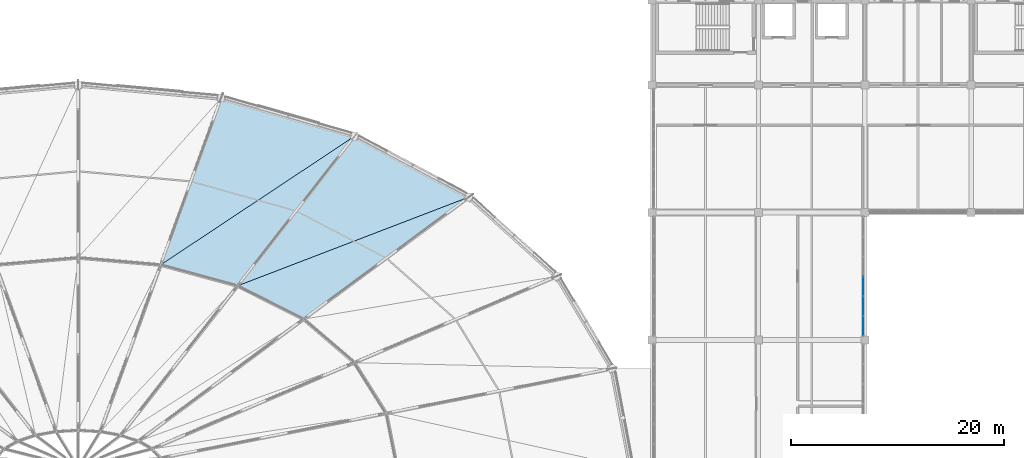
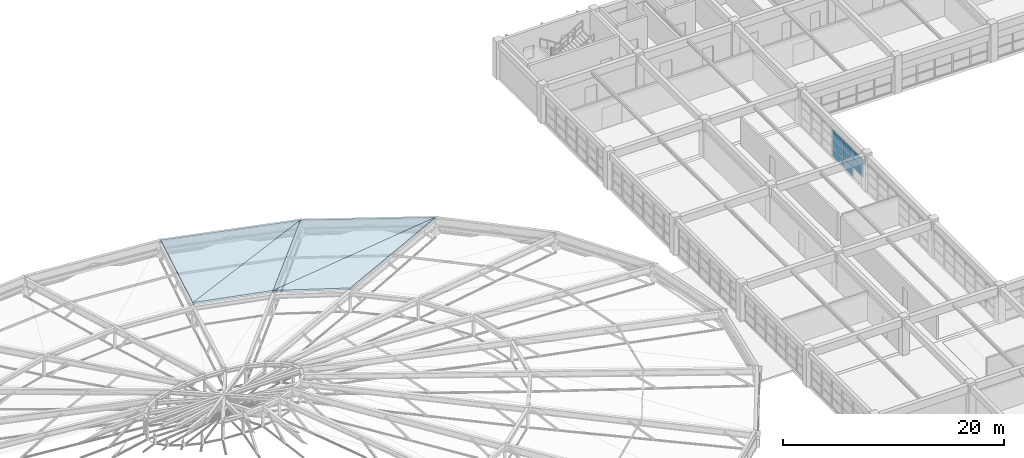
# One storey, part 53 of 83: 8 plates, 4 slabs, 2 elements without a shape of their own.
"""IFC4 building model written with IfcOpenShell, lengths in metres."""

from ifc_helpers import new_model, si_unit, direction, frame, origin, origin_2d, place, context, subcontext, project, spatial, polyline, rectangle, outline, extrude, material, layer, layer_set, type_object, element, aggregate, save


model = new_model("IFC4")

# Units and contexts
model_context = context("Model", 3, precision=1e-05, world=origin(), true_north=direction((0.0, 1.0)))
body_context = subcontext(model_context, "Body", "Model", "MODEL_VIEW")
ifc_project = project(units=[si_unit("LENGTHUNIT", "METRE"), si_unit("AREAUNIT", "SQUARE_METRE"), si_unit("VOLUMEUNIT", "CUBIC_METRE"), si_unit("PLANEANGLEUNIT", "RADIAN"), si_unit("MASSUNIT", "GRAM", prefix="KILO")], contexts=[model_context])

# Site, building, storey
site_placement = place(None, origin())
site = spatial("IfcSite", under=ifc_project, at=site_placement, CompositionType="ELEMENT")
building_placement = place(site_placement, origin())
building = spatial("IfcBuilding", under=site, at=building_placement, Name="Kivolera Central Railway Station", CompositionType="ELEMENT")
storey_placement = place(building_placement, frame((0.0, 0.0, 14.39990234375)))
storey = spatial("IfcBuildingStorey", under=building, at=storey_placement, Name="L03", CompositionType="ELEMENT", Elevation=14.39990234375)

# Curtain wall, plates
ifc_material_1 = material(Name="Anodised aluminium", Category="aluminium")
ifc_layer_1 = layer(ifc_material_1, 0.179931640625, Name="Anodised aluminium")
ifc_layer_set_1 = layer_set([ifc_layer_1], Name="Anodised aluminium")
curtain_wall_type = type_object("IfcCurtainWallType", Name="CW-SYS-30", PredefinedType="NOTDEFINED", material=ifc_layer_set_1)
curtain_wall_placement = place(storey_placement, origin())
curtain_wall = element("IfcCurtainWall", 1, at=curtain_wall_placement, inside=storey, type_object=curtain_wall_type, Name="L03 Curtain Wall CW-L03-CRTW-J", PredefinedType="NOTDEFINED")
ifc_material_2 = material(Name="Double low-E laminated glass", Category="glass")
ifc_layer_2 = layer(ifc_material_2, 0.02587890625, Name="Double low-E laminated glass")
ifc_layer_set_2 = layer_set([ifc_layer_2], Name="Double low-E laminated glass")
plate_type = type_object("IfcPlateType", Name="CWP-GLZ-1", PredefinedType="CURTAIN_PANEL", material=ifc_layer_set_2)
plate_1_placement = place(storey_placement, frame((137.85498046875, 107.061767578125, 0.048095703125), z_axis=(0.0, 0.0, 1.0), x_axis=(0.0, -1.0, 0.0)))
plate_1 = element("IfcPlate", 2, at=plate_1_placement, type_object=plate_type, Name="CW-30 panel 4.1", PredefinedType="CURTAIN_PANEL", context=body_context, shape_type="SweptSolid", body=[
    extrude(rectangle(XDim=1.840576171875, YDim=0.02587890625, at=origin_2d()), origin(), (0.0, 0.0, 1.0), 1.01123046875),
])
plate_2_placement = place(storey_placement, frame((137.85498046875, 107.061767578125, 1.09521484375), z_axis=(0.0, 0.0, 1.0), x_axis=(0.0, -1.0, 0.0)))
plate_2 = element("IfcPlate", 3, at=plate_2_placement, type_object=plate_type, Name="CW-30 panel 4.2", PredefinedType="CURTAIN_PANEL", context=body_context, shape_type="SweptSolid", body=[
    extrude(rectangle(XDim=1.840576171875, YDim=0.02587890625, at=origin_2d()), origin(), (0.0, 0.0, 1.0), 1.041259765625),
])
plate_3_placement = place(storey_placement, frame((137.85498046875, 107.061767578125, 2.172607421875), z_axis=(0.0, 0.0, 1.0), x_axis=(0.0, -1.0, 0.0)))
plate_3 = element("IfcPlate", 4, at=plate_3_placement, type_object=plate_type, Name="CW-30 panel 4.3", PredefinedType="CURTAIN_PANEL", context=body_context, shape_type="SweptSolid", body=[
    extrude(rectangle(XDim=1.840576171875, YDim=0.02587890625, at=origin_2d()), origin(), (0.0, 0.0, 1.0), 0.857421875),
])
plate_4_placement = place(storey_placement, frame((137.85498046875, 105.18505859375, 0.048095703125), z_axis=(0.0, 0.0, 1.0), x_axis=(0.0, -1.0, 0.0)))
plate_4 = element("IfcPlate", 5, at=plate_4_placement, type_object=plate_type, Name="CW-30 panel 5.1", PredefinedType="CURTAIN_PANEL", context=body_context, shape_type="SweptSolid", body=[
    extrude(rectangle(XDim=1.840576171875, YDim=0.02587890625, at=origin_2d()), origin(), (0.0, 0.0, 1.0), 1.01123046875),
])
plate_5_placement = place(storey_placement, frame((137.85498046875, 105.18505859375, 1.09521484375), z_axis=(0.0, 0.0, 1.0), x_axis=(0.0, -1.0, 0.0)))
plate_5 = element("IfcPlate", 6, at=plate_5_placement, type_object=plate_type, Name="CW-30 panel 5.2", PredefinedType="CURTAIN_PANEL", context=body_context, shape_type="SweptSolid", body=[
    extrude(rectangle(XDim=1.840576171875, YDim=0.02587890625, at=origin_2d()), origin(), (0.0, 0.0, 1.0), 1.041259765625),
])
plate_6_placement = place(storey_placement, frame((137.85498046875, 105.18505859375, 2.172607421875), z_axis=(0.0, 0.0, 1.0), x_axis=(0.0, -1.0, 0.0)))
plate_6 = element("IfcPlate", 7, at=plate_6_placement, type_object=plate_type, Name="CW-30 panel 5.3", PredefinedType="CURTAIN_PANEL", context=body_context, shape_type="SweptSolid", body=[
    extrude(rectangle(XDim=1.840576171875, YDim=0.02587890625, at=origin_2d()), origin(), (0.0, 0.0, 1.0), 0.857421875),
])
plate_7_placement = place(storey_placement, frame((137.85498046875, 103.3232421875, 1.09521484375), z_axis=(0.0, 0.0, 1.0), x_axis=(0.0, -1.0, 0.0)))
plate_7 = element("IfcPlate", 8, at=plate_7_placement, type_object=plate_type, Name="CW-30 panel 6.2", PredefinedType="CURTAIN_PANEL", context=body_context, shape_type="SweptSolid", body=[
    extrude(rectangle(XDim=1.810546875, YDim=0.02587890625, at=origin_2d()), origin(), (0.0, 0.0, 1.0), 1.041259765625),
])
plate_8_placement = place(storey_placement, frame((137.85498046875, 103.3232421875, 2.172607421875), z_axis=(0.0, 0.0, 1.0), x_axis=(0.0, -1.0, 0.0)))
plate_8 = element("IfcPlate", 9, at=plate_8_placement, type_object=plate_type, Name="CW-30 panel 6.3", PredefinedType="CURTAIN_PANEL", context=body_context, shape_type="SweptSolid", body=[
    extrude(rectangle(XDim=1.810546875, YDim=0.02587890625, at=origin_2d()), origin(), (0.0, 0.0, 1.0), 0.857421875),
])
aggregate(curtain_wall, [plate_1, plate_2, plate_3, plate_4, plate_5, plate_6, plate_7, plate_8])

# Roof, slabs
ifc_material_3 = material(Name="Steel S355", Category="steel")
roof_type = type_object("IfcRoofType", Name="ROOF-DOME-MAIN", PredefinedType="DOME_ROOF", material=ifc_material_3)
roof_placement = place(storey_placement, origin())
roof = element("IfcRoof", 10, at=roof_placement, inside=storey, type_object=roof_type, Name="Oval Concourse Radial-Ribbed Cable-Net Dome Roof", PredefinedType="DOME_ROOF")
ifc_material_4 = material(Name="Precast concrete C40/50", Category="concrete")
ifc_layer_3 = layer(ifc_material_4, 0.179931640625, Name="Precast concrete C40/50")
ifc_layer_set_3 = layer_set([ifc_layer_3], Name="Precast concrete C40/50")
slab_type = type_object("IfcSlabType", Name="SLB-DOME-180", PredefinedType="ROOF", material=ifc_layer_set_3)
slab_1_placement = place(storey_placement, frame((100.77001953125, 115.4560546875, 1.800048828125), z_axis=(0.118698889855, 0.223457637822, 0.967459176217), x_axis=(-0.883136972992, 0.469115217122, 0.0)))
slab_1 = element("IfcSlab", 11, at=slab_1_placement, type_object=slab_type, Name="Oval Dome Faceted Roof Panel F1A-03", PredefinedType="ROOF", context=body_context, shape_type="SweptSolid", body=[
    extrude(outline(polyline([(0.0, 0.0), (12.195185866544579, 8.881784197001252e-16), (15.307835035137368, 18.180252683272666), (0.0, 0.0)])), origin(), (0.0, 0.0, -1.0), 0.179931640625),
])
slab_2_placement = place(storey_placement, frame((100.77001953125, 115.4560546875, 1.800048828125), z_axis=(0.116057048472, 0.229712978884, 0.96631398046), x_axis=(-0.915992069215, -0.351419633148, 0.193553017474)))
slab_2 = element("IfcSlab", 12, at=slab_2_placement, type_object=slab_type, Name="Oval Dome Faceted Roof Panel F1B-03", PredefinedType="ROOF", context=body_context, shape_type="SweptSolid", body=[
    extrude(outline(polyline([(0.0, 0.0), (23.766602640903937, 1.5543122344752192e-15), (19.17872081619885, 5.234896754846341), (0.0, 0.0)])), origin(), (0.0, 0.0, -1.0), 0.179931640625),
])
slab_3_placement = place(storey_placement, frame((90.0, 121.177001953125, 1.800048828125), z_axis=(0.073370494672, 0.255882651252, 0.963919519099), x_axis=(-0.961264358362, 0.275628070673, 0.0)))
slab_3 = element("IfcSlab", 13, at=slab_3_placement, type_object=slab_type, Name="Oval Dome Faceted Roof Panel F1A-04", PredefinedType="ROOF", context=body_context, shape_type="SweptSolid", body=[
    extrude(outline(polyline([(0.0, 0.0), (13.04637534503933, 4.440892098500626e-16), (14.19363226360877, 17.28100713472998), (0.0, 0.0)])), origin(), (0.0, 0.0, -1.0), 0.179931640625),
])
slab_4_placement = place(storey_placement, frame((90.0, 121.177001953125, 1.800048828125), z_axis=(0.070765298894, 0.259513628601, 0.963143265067), x_axis=(-0.815423450192, -0.541082821738, 0.205703614204)))
slab_4 = element("IfcSlab", 14, at=slab_4_placement, type_object=slab_type, Name="Oval Dome Faceted Roof Panel F1B-04", PredefinedType="ROOF", context=body_context, shape_type="SweptSolid", body=[
    extrude(outline(polyline([(0.0, 0.0), (22.36274590530296, 1.3322676295501878e-15), (17.53057215921328, 5.7349117033308055), (0.0, 0.0)])), origin(), (0.0, 0.0, -1.0), 0.179931640625),
])
aggregate(roof, [slab_1, slab_2, slab_3, slab_4])

save(model, "model.ifc")
